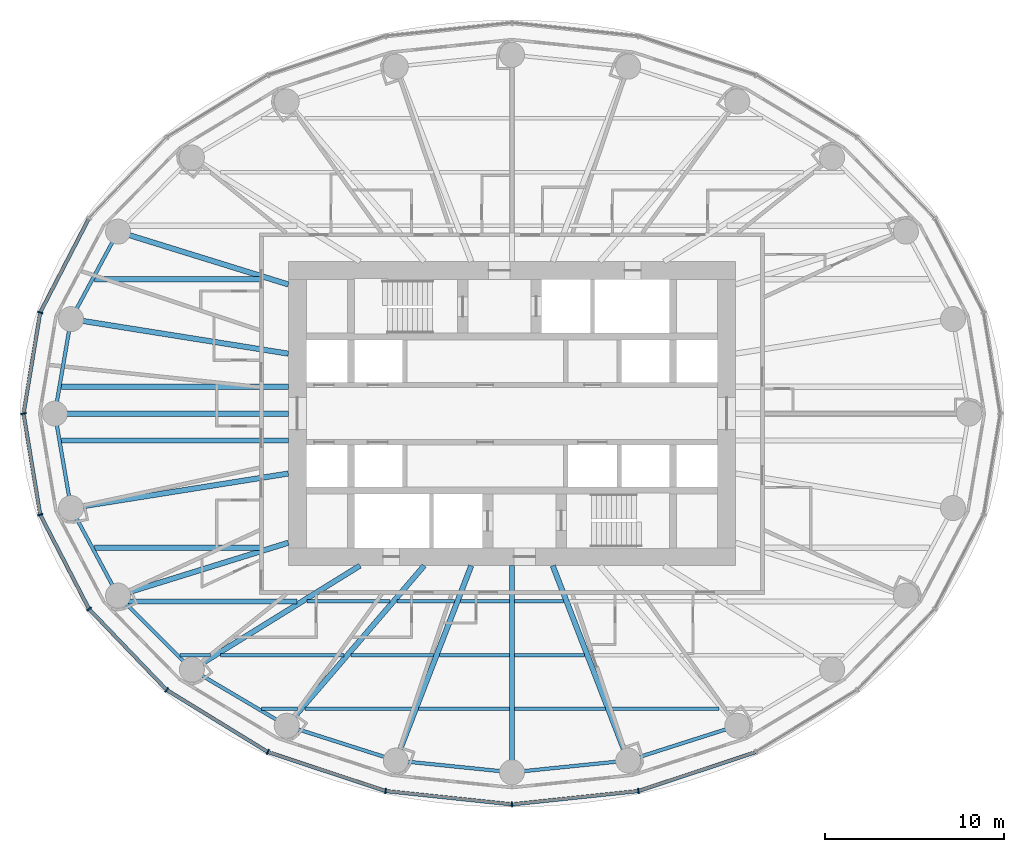
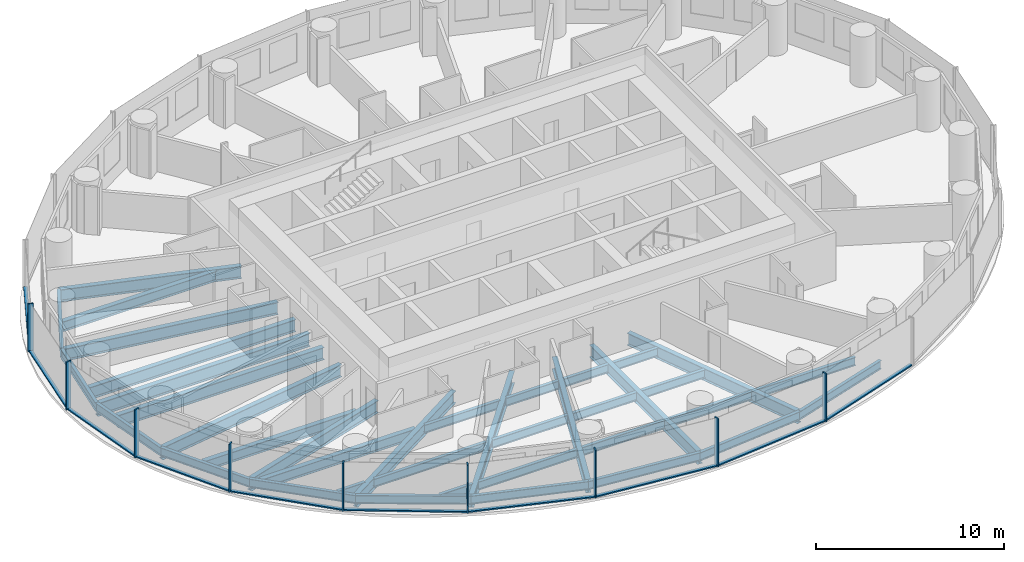
# One storey, part 2 of 13: 39 beams, 19 members, 3 elements without a shape of their own.
"""IFC4 building model written with IfcOpenShell, lengths in metres."""

from ifc_helpers import new_model, si_unit, direction, frame, origin, origin_2d, place, context, subcontext, project, spatial, rectangle, i_section, extrude, material, material_profile, profile_set, type_object, element, aggregate, save


model = new_model("IFC4")

# Units and contexts
model_context = context("Model", 3, precision=1e-05, world=origin(), true_north=direction((0.0, 1.0)))
body_context = subcontext(model_context, "Body", "Model", "MODEL_VIEW")
ifc_project = project(units=[si_unit("LENGTHUNIT", "METRE"), si_unit("AREAUNIT", "SQUARE_METRE"), si_unit("VOLUMEUNIT", "CUBIC_METRE"), si_unit("PLANEANGLEUNIT", "RADIAN"), si_unit("MASSUNIT", "GRAM", prefix="KILO")], contexts=[model_context])

# Site, building, storey
site_placement = place(None, origin())
site = spatial("IfcSite", under=ifc_project, at=site_placement, CompositionType="ELEMENT")
building_placement = place(site_placement, origin())
building = spatial("IfcBuilding", under=site, at=building_placement, Name="Hankou Lantern Tower", CompositionType="ELEMENT")
storey_placement = place(building_placement, frame((0.0, 0.0, 80.39990234375)))
storey = spatial("IfcBuildingStorey", under=building, at=storey_placement, Name="L20", CompositionType="ELEMENT", Elevation=80.39990234375)

# Beams
ifc_material_1 = material(Name="Steel Q355B", Category="steel")
ifc_material_profile_1 = material_profile(ifc_material_1, i_section(OverallWidth=0.199951171875, OverallDepth=0.550048828125, WebThickness=0.010009765625, FlangeThickness=0.01611328125, FilletRadius=0.012939453125, at=origin_2d()), Name="HN550x200x10x16")
ifc_profile_set_1 = profile_set([ifc_material_profile_1], Name="Steel Q355B")
beam_type_1 = type_object("IfcBeamType", Name="EB6 RING BEAM HN550x200x10x16", PredefinedType="SPANDREL", material=ifc_profile_set_1)
beam_1_placement = place(storey_placement, frame((-22.01904296875, 10.170166015625, -0.454833984375), z_axis=(-0.473609096023, -0.880735161194, 0.0), x_axis=(0.880735161194, -0.473609096023, 0.0)))
element("IfcBeam", 1, at=beam_1_placement, inside=storey, type_object=beam_type_1, Name="Ring beam R11-R12 L20", PredefinedType="SPANDREL", context=body_context, shape_type="SweptSolid", body=[
    extrude(i_section(OverallWidth=0.199951171875, OverallDepth=0.550048828125, WebThickness=0.010009765625, FlangeThickness=0.01611328125, FilletRadius=0.012939453125, at=origin_2d()), origin(), (0.0, 0.0, 1.0), 5.548828125),
])
for number, where, z_axis, x_axis, name in (
    (2, (-24.64697265625, 5.283203125, -0.454833984375), (-0.168489691988, -0.985703415685, 0.0), (0.985703415685, -0.168489691988, 0.0), "Ring beam R12-R13 L20"),
    (3, (-25.550048828125, 0.0, -0.454833984375), (0.168489691988, -0.985703415685, 0.0), (0.985703415685, 0.168489691988, 0.0), "Ring beam R13-R14 L20"),
):
    element("IfcBeam", number, at=place(storey_placement, frame(where, z_axis=z_axis, x_axis=x_axis)), inside=storey, type_object=beam_type_1, Name=name, PredefinedType="SPANDREL", context=body_context, shape_type="SweptSolid", body=[
        extrude(i_section(OverallWidth=0.199951171875, OverallDepth=0.550048828125, WebThickness=0.010009765625, FlangeThickness=0.01611328125, FilletRadius=0.012939453125, at=origin_2d()), origin(), (0.0, 0.0, 1.0), 5.35986328125),
    ])
beam_2_placement = place(storey_placement, frame((-24.64697265625, -5.283203125, -0.454833984375), z_axis=(0.473609096023, -0.880735161194, 0.0), x_axis=(0.880735161194, 0.473609096023, 0.0)))
element("IfcBeam", 4, at=beam_2_placement, inside=storey, type_object=beam_type_1, Name="Ring beam R14-R15 L20", PredefinedType="SPANDREL", context=body_context, shape_type="SweptSolid", body=[
    extrude(i_section(OverallWidth=0.199951171875, OverallDepth=0.550048828125, WebThickness=0.010009765625, FlangeThickness=0.01611328125, FilletRadius=0.012939453125, at=origin_2d()), origin(), (0.0, 0.0, 1.0), 5.548828125),
])
beam_3_placement = place(storey_placement, frame((-22.01904296875, -10.170166015625, -0.454833984375), z_axis=(0.705727798394, -0.708483079949, 0.0), x_axis=(0.708483079949, 0.705727798394, 0.0)))
element("IfcBeam", 5, at=beam_3_placement, inside=storey, type_object=beam_type_1, Name="Ring beam R15-R16 L20", PredefinedType="SPANDREL", context=body_context, shape_type="SweptSolid", body=[
    extrude(i_section(OverallWidth=0.199951171875, OverallDepth=0.550048828125, WebThickness=0.010009765625, FlangeThickness=0.01611328125, FilletRadius=0.012939453125, at=origin_2d()), origin(), (0.0, 0.0, 1.0), 5.84814453125),
])
beam_4_placement = place(storey_placement, frame((-17.891845703125, -14.3134765625, -0.454833984375), z_axis=(0.860881533543, -0.508805449268, 0.0), x_axis=(0.508805449268, 0.860881533543, 0.0)))
element("IfcBeam", 6, at=beam_4_placement, inside=storey, type_object=beam_type_1, Name="Ring beam R16-R17 L20", PredefinedType="SPANDREL", context=body_context, shape_type="SweptSolid", body=[
    extrude(i_section(OverallWidth=0.199951171875, OverallDepth=0.550048828125, WebThickness=0.010009765625, FlangeThickness=0.01611328125, FilletRadius=0.012939453125, at=origin_2d()), origin(), (0.0, 0.0, 1.0), 6.15771484375),
])
beam_5_placement = place(storey_placement, frame((-12.5908203125, -17.446533203125, -0.454833984375), z_axis=(0.952690479428, -0.303942182671, 0.0), x_axis=(0.303942182671, 0.952690479428, 0.0)))
element("IfcBeam", 7, at=beam_5_placement, inside=storey, type_object=beam_type_1, Name="Ring beam R17-R18 L20", PredefinedType="SPANDREL", context=body_context, shape_type="SweptSolid", body=[
    extrude(i_section(OverallWidth=0.199951171875, OverallDepth=0.550048828125, WebThickness=0.010009765625, FlangeThickness=0.01611328125, FilletRadius=0.012939453125, at=origin_2d()), origin(), (0.0, 0.0, 1.0), 6.398681640625),
])
for number, where, z_axis, x_axis, name in (
    (8, (-6.494873046875, -19.391357421875, -0.454833984375), (0.994896616842, -0.100899562915, 0.0), (0.100899562915, 0.994896616842, 0.0), "Ring beam R18-R19 L20"),
    (9, (0.0, -20.050048828125, -0.454833984375), (0.994896616842, 0.100899562915, 0.0), (-0.100899562915, 0.994896616842, 0.0), "Ring beam R19-R20 L20"),
):
    element("IfcBeam", number, at=place(storey_placement, frame(where, z_axis=z_axis, x_axis=x_axis)), inside=storey, type_object=beam_type_1, Name=name, PredefinedType="SPANDREL", context=body_context, shape_type="SweptSolid", body=[
        extrude(i_section(OverallWidth=0.199951171875, OverallDepth=0.550048828125, WebThickness=0.010009765625, FlangeThickness=0.01611328125, FilletRadius=0.012939453125, at=origin_2d()), origin(), (0.0, 0.0, 1.0), 6.528076171875),
    ])
beam_6_placement = place(storey_placement, frame((6.494873046875, -19.391357421875, -0.454833984375), z_axis=(0.952690479428, 0.303942182671, 0.0), x_axis=(-0.303942182671, 0.952690479428, 0.0)))
element("IfcBeam", 10, at=beam_6_placement, inside=storey, type_object=beam_type_1, Name="Ring beam R20-R21 L20", PredefinedType="SPANDREL", context=body_context, shape_type="SweptSolid", body=[
    extrude(i_section(OverallWidth=0.199951171875, OverallDepth=0.550048828125, WebThickness=0.010009765625, FlangeThickness=0.01611328125, FilletRadius=0.012939453125, at=origin_2d()), origin(), (0.0, 0.0, 1.0), 6.398681640625),
])

# Curtain wall, member
ifc_material_2 = material(Name="Glass, dark grey tinted laminated", Category="glass")
curtain_wall_type = type_object("IfcCurtainWallType", Name="CWA OUTER SKIN LOW-RISE", PredefinedType="USERDEFINED", material=ifc_material_2)
curtain_wall_1_placement = place(storey_placement, origin())
curtain_wall_1 = element("IfcCurtainWall", 11, at=curtain_wall_1_placement, inside=storey, type_object=curtain_wall_type, Name="CWA L20 OS2", ObjectType="OUTER SKIN LOW-RISE", PredefinedType="USERDEFINED")
ifc_material_3 = material(Name="Aluminium, black anodised", Category="aluminium")
ifc_material_profile_2 = material_profile(ifc_material_3, rectangle(XDim=0.080078125, YDim=0.300048828125, at=origin_2d()), Name="MU1 80X300")
ifc_profile_set_2 = profile_set([ifc_material_profile_2], Name="Aluminium, black anodised")
member_type_1 = type_object("IfcMemberType", Name="MU1 OUTER SKIN MULLION 80X300", PredefinedType="MULLION", material=ifc_profile_set_2)
member_1_placement = place(storey_placement, frame((-26.369873046875, 5.652587890625, 0.0), z_axis=(0.0, 0.0, 1.0), x_axis=(-0.317595577365, -0.94822626479, 0.0)))
member_1 = element("IfcMember", 12, at=member_1_placement, type_object=member_type_1, Name="CWA mullion 6", PredefinedType="MULLION", context=body_context, shape_type="SweptSolid", body=[
    extrude(rectangle(XDim=0.080078125, YDim=0.300048828125, at=origin_2d()), origin(), (0.0, 0.0, 1.0), 3.1201171875),
])

# Curtain wall, members
curtain_wall_2_placement = place(storey_placement, origin())
curtain_wall_2 = element("IfcCurtainWall", 13, at=curtain_wall_2_placement, inside=storey, type_object=curtain_wall_type, Name="CWA L20 OS3", ObjectType="OUTER SKIN LOW-RISE", PredefinedType="USERDEFINED")
member_2_placement = place(storey_placement, frame((-27.300048828125, 0.0, 0.0), z_axis=(0.0, 0.0, 1.0), x_axis=(0.162381515188, -0.986728049427, 0.0)))
member_2 = element("IfcMember", 14, at=member_2_placement, type_object=member_type_1, Name="CWA mullion 1", PredefinedType="MULLION", context=body_context, shape_type="SweptSolid", body=[
    extrude(rectangle(XDim=0.080078125, YDim=0.300048828125, at=origin_2d()), origin(), (0.0, 0.0, 1.0), 3.1201171875),
])
member_3_placement = place(storey_placement, frame((-26.369873046875, -5.652587890625, 0.0), z_axis=(0.0, 0.0, 1.0), x_axis=(0.317595577365, -0.94822626479, 0.0)))
member_3 = element("IfcMember", 15, at=member_3_placement, type_object=member_type_1, Name="CWA mullion 2", PredefinedType="MULLION", context=body_context, shape_type="SweptSolid", body=[
    extrude(rectangle(XDim=0.080078125, YDim=0.300048828125, at=origin_2d()), origin(), (0.0, 0.0, 1.0), 3.1201171875),
])
member_4_placement = place(storey_placement, frame((-23.642578125, -10.919921875, 0.0), z_axis=(0.0, 0.0, 1.0), x_axis=(0.585205735974, -0.810884854084, 0.0)))
member_4 = element("IfcMember", 16, at=member_4_placement, type_object=member_type_1, Name="CWA mullion 3", PredefinedType="MULLION", context=body_context, shape_type="SweptSolid", body=[
    extrude(rectangle(XDim=0.080078125, YDim=0.300048828125, at=origin_2d()), origin(), (0.0, 0.0, 1.0), 3.1201171875),
])
member_5_placement = place(storey_placement, frame((-19.303955078125, -15.443115234375, 0.0), z_axis=(0.0, 0.0, 1.0), x_axis=(0.780868809444, -0.624695047553, 0.0)))
member_5 = element("IfcMember", 17, at=member_5_placement, type_object=member_type_1, Name="CWA mullion 4", PredefinedType="MULLION", context=body_context, shape_type="SweptSolid", body=[
    extrude(rectangle(XDim=0.080078125, YDim=0.300048828125, at=origin_2d()), origin(), (0.0, 0.0, 1.0), 3.1201171875),
])
member_6_placement = place(storey_placement, frame((-13.64990234375, -18.9140625, 0.0), z_axis=(0.0, 0.0, 1.0), x_axis=(0.907841299004, -0.419313934686, 0.0)))
member_6 = element("IfcMember", 18, at=member_6_placement, type_object=member_type_1, Name="CWA mullion 5", PredefinedType="MULLION", context=body_context, shape_type="SweptSolid", body=[
    extrude(rectangle(XDim=0.080078125, YDim=0.300048828125, at=origin_2d()), origin(), (0.0, 0.0, 1.0), 3.1201171875),
])
member_7_placement = place(storey_placement, frame((-7.065673828125, -21.095703125, 0.0), z_axis=(0.0, 0.0, 1.0), x_axis=(0.977787659625, -0.209597931016, 0.0)))
member_7 = element("IfcMember", 19, at=member_7_placement, type_object=member_type_1, Name="CWA mullion 6", PredefinedType="MULLION", context=body_context, shape_type="SweptSolid", body=[
    extrude(rectangle(XDim=0.080078125, YDim=0.300048828125, at=origin_2d()), origin(), (0.0, 0.0, 1.0), 3.1201171875),
])

curtain_wall_3_placement = place(storey_placement, origin())
curtain_wall_3 = element("IfcCurtainWall", 20, at=curtain_wall_3_placement, inside=storey, type_object=curtain_wall_type, Name="CWA L20 OS4", ObjectType="OUTER SKIN LOW-RISE", PredefinedType="USERDEFINED")
member_8_placement = place(storey_placement, frame((0.0, -21.840087890625, 0.0), z_axis=(0.0, 0.0, 1.0), x_axis=(0.994499359107, 0.104742659579, 0.0)))
member_8 = element("IfcMember", 21, at=member_8_placement, type_object=member_type_1, Name="CWA mullion 1", PredefinedType="MULLION", context=body_context, shape_type="SweptSolid", body=[
    extrude(rectangle(XDim=0.080078125, YDim=0.300048828125, at=origin_2d()), origin(), (0.0, 0.0, 1.0), 3.1201171875),
])
member_9_placement = place(storey_placement, frame((7.065673828125, -21.095703125, 0.0), z_axis=(0.0, 0.0, 1.0), x_axis=(0.977787659625, 0.209597931016, 0.0)))
member_9 = element("IfcMember", 22, at=member_9_placement, type_object=member_type_1, Name="CWA mullion 2", PredefinedType="MULLION", context=body_context, shape_type="SweptSolid", body=[
    extrude(rectangle(XDim=0.080078125, YDim=0.300048828125, at=origin_2d()), origin(), (0.0, 0.0, 1.0), 3.1201171875),
])

# Beams
ifc_material_4 = material(Name="Steel Q355B", Category="steel")
ifc_material_profile_3 = material_profile(ifc_material_4, i_section(OverallWidth=0.300048828125, OverallDepth=0.800048828125, WebThickness=0.013916015625, FlangeThickness=0.02587890625, FilletRadius=0.01806640625, at=origin_2d()), Name="HN800x300x14x26")
ifc_profile_set_3 = profile_set([ifc_material_profile_3], Name="Steel Q355B")
beam_type_2 = type_object("IfcBeamType", Name="RB11 RADIAL BEAM HN800x300x14x26", PredefinedType="BEAM", material=ifc_profile_set_3)
beam_7_placement = place(storey_placement, frame((-12.5, 7.216796875, -0.579833984375), z_axis=(-0.955087327755, 0.29632447817, 0.0), x_axis=(-0.29632447817, -0.955087327755, 0.0)))
element("IfcBeam", 23, at=beam_7_placement, inside=storey, type_object=beam_type_2, Name="Radial beam R11 L20", PredefinedType="BEAM", context=body_context, shape_type="SweptSolid", body=[
    extrude(i_section(OverallWidth=0.300048828125, OverallDepth=0.800048828125, WebThickness=0.013916015625, FlangeThickness=0.02587890625, FilletRadius=0.01806640625, at=origin_2d()), origin(), (0.0, 0.0, 1.0), 9.966552734375),
])
for number, where, z_axis, x_axis, name in (
    (24, (-12.5, 3.349365234375, -0.579833984375), (-0.987563081343, 0.157223281893, 0.0), (-0.157223281893, -0.987563081343, 0.0), "Radial beam R12 L20"),
    (25, (-12.5, -3.349365234375, -0.579833984375), (-0.987563081343, -0.157223281893, 0.0), (0.157223281893, -0.987563081343, 0.0), "Radial beam R14 L20"),
):
    element("IfcBeam", number, at=place(storey_placement, frame(where, z_axis=z_axis, x_axis=x_axis)), inside=storey, type_object=beam_type_2, Name=name, PredefinedType="BEAM", context=body_context, shape_type="SweptSolid", body=[
        extrude(i_section(OverallWidth=0.300048828125, OverallDepth=0.800048828125, WebThickness=0.013916015625, FlangeThickness=0.02587890625, FilletRadius=0.01806640625, at=origin_2d()), origin(), (0.0, 0.0, 1.0), 12.300048828125),
    ])
beam_8_placement = place(storey_placement, frame((-12.5, -7.216796875, -0.579833984375), z_axis=(-0.955087327755, -0.29632447817, 0.0), x_axis=(0.29632447817, -0.955087327755, 0.0)))
element("IfcBeam", 26, at=beam_8_placement, inside=storey, type_object=beam_type_2, Name="Radial beam R15 L20", PredefinedType="BEAM", context=body_context, shape_type="SweptSolid", body=[
    extrude(i_section(OverallWidth=0.300048828125, OverallDepth=0.800048828125, WebThickness=0.013916015625, FlangeThickness=0.02587890625, FilletRadius=0.01806640625, at=origin_2d()), origin(), (0.0, 0.0, 1.0), 9.966552734375),
])
beam_9_placement = place(storey_placement, frame((-8.5, -8.5, -0.579833984375), z_axis=(-0.850286343288, -0.526320372414, 0.0), x_axis=(0.526320372414, -0.850286343288, 0.0)))
element("IfcBeam", 27, at=beam_9_placement, inside=storey, type_object=beam_type_2, Name="Radial beam R16 L20", PredefinedType="BEAM", context=body_context, shape_type="SweptSolid", body=[
    extrude(i_section(OverallWidth=0.300048828125, OverallDepth=0.800048828125, WebThickness=0.013916015625, FlangeThickness=0.02587890625, FilletRadius=0.01806640625, at=origin_2d()), origin(), (0.0, 0.0, 1.0), 11.04541015625),
])
beam_10_placement = place(storey_placement, frame((-4.907470703125, -8.5, -0.579833984375), z_axis=(-0.651519061225, -0.758632264579, 0.0), x_axis=(0.758632264579, -0.651519061225, 0.0)))
element("IfcBeam", 28, at=beam_10_placement, inside=storey, type_object=beam_type_2, Name="Radial beam R17 L20", PredefinedType="BEAM", context=body_context, shape_type="SweptSolid", body=[
    extrude(i_section(OverallWidth=0.300048828125, OverallDepth=0.800048828125, WebThickness=0.013916015625, FlangeThickness=0.02587890625, FilletRadius=0.01806640625, at=origin_2d()), origin(), (0.0, 0.0, 1.0), 11.79296875),
])
beam_11_placement = place(storey_placement, frame((-2.277587890625, -8.5, -0.579833984375), z_axis=(-0.361089103374, -0.932531318201, 0.0), x_axis=(0.932531318201, -0.361089103374, 0.0)))
element("IfcBeam", 29, at=beam_11_placement, inside=storey, type_object=beam_type_2, Name="Radial beam R18 L20", PredefinedType="BEAM", context=body_context, shape_type="SweptSolid", body=[
    extrude(i_section(OverallWidth=0.300048828125, OverallDepth=0.800048828125, WebThickness=0.013916015625, FlangeThickness=0.02587890625, FilletRadius=0.01806640625, at=origin_2d()), origin(), (0.0, 0.0, 1.0), 11.679443359375),
])
beam_12_placement = place(storey_placement, frame((0.0, -8.5, -0.579833984375), z_axis=(0.0, -1.0, 0.0), x_axis=(1.0, 0.0, 0.0)))
element("IfcBeam", 30, at=beam_12_placement, inside=storey, type_object=beam_type_2, Name="Radial beam R19 L20", PredefinedType="BEAM", context=body_context, shape_type="SweptSolid", body=[
    extrude(i_section(OverallWidth=0.300048828125, OverallDepth=0.800048828125, WebThickness=0.013916015625, FlangeThickness=0.02587890625, FilletRadius=0.01806640625, at=origin_2d()), origin(), (0.0, 0.0, 1.0), 11.550048828125),
])
beam_13_placement = place(storey_placement, frame((2.277587890625, -8.5, -0.579833984375), z_axis=(0.361089103374, -0.932531318201, 0.0), x_axis=(0.932531318201, 0.361089103374, 0.0)))
element("IfcBeam", 31, at=beam_13_placement, inside=storey, type_object=beam_type_2, Name="Radial beam R20 L20", PredefinedType="BEAM", context=body_context, shape_type="SweptSolid", body=[
    extrude(i_section(OverallWidth=0.300048828125, OverallDepth=0.800048828125, WebThickness=0.013916015625, FlangeThickness=0.02587890625, FilletRadius=0.01806640625, at=origin_2d()), origin(), (0.0, 0.0, 1.0), 11.679443359375),
])
ifc_material_5 = material(Name="Steel Q355B", Category="steel")
ifc_material_profile_4 = material_profile(ifc_material_5, i_section(OverallWidth=0.300048828125, OverallDepth=0.85009765625, WebThickness=0.01611328125, FlangeThickness=0.027099609375, FilletRadius=0.01806640625, at=origin_2d()), Name="HN850x300x16x27")
ifc_profile_set_4 = profile_set([ifc_material_profile_4], Name="Steel Q355B")
beam_type_3 = type_object("IfcBeamType", Name="RB12 RADIAL BEAM HN850x300x16x27", PredefinedType="BEAM", material=ifc_profile_set_4)
beam_14_placement = place(storey_placement, frame((-12.5, 0.0, -0.60498046875), z_axis=(-1.0, 0.0, 0.0), x_axis=(0.0, -1.0, 0.0)))
element("IfcBeam", 32, at=beam_14_placement, inside=storey, type_object=beam_type_3, Name="Radial beam R13 L20", PredefinedType="BEAM", context=body_context, shape_type="SweptSolid", body=[
    extrude(i_section(OverallWidth=0.300048828125, OverallDepth=0.85009765625, WebThickness=0.01611328125, FlangeThickness=0.027099609375, FilletRadius=0.01806640625, at=origin_2d()), origin(), (0.0, 0.0, 1.0), 13.050048828125),
])
ifc_material_6 = material(Name="Steel Q355B", Category="steel")
ifc_material_profile_5 = material_profile(ifc_material_6, i_section(OverallWidth=0.300048828125, OverallDepth=0.800048828125, WebThickness=0.013916015625, FlangeThickness=0.02587890625, FilletRadius=0.01806640625, at=origin_2d()), Name="HN800x300x14x26")
ifc_profile_set_5 = profile_set([ifc_material_profile_5], Name="Steel Q355B")
beam_type_4 = type_object("IfcBeamType", Name="SB11 SECONDARY BEAM HN800x300x14x26", PredefinedType="JOIST", material=ifc_profile_set_5)
for number, where, z_axis, x_axis, name in (
    (33, (-25.192138671875, -1.5, -0.579833984375), (1.0, 0.0, 0.0), (0.0, 1.0, 0.0), "Floor joist J029 L20"),
    (34, (-25.192138671875, 1.5, -0.579833984375), (1.0, 0.0, 0.0), (0.0, 1.0, 0.0), "Floor joist J031 L20"),
):
    element("IfcBeam", number, at=place(storey_placement, frame(where, z_axis=z_axis, x_axis=x_axis)), inside=storey, type_object=beam_type_4, Name=name, PredefinedType="JOIST", context=body_context, shape_type="SweptSolid", body=[
        extrude(i_section(OverallWidth=0.300048828125, OverallDepth=0.800048828125, WebThickness=0.013916015625, FlangeThickness=0.02587890625, FilletRadius=0.01806640625, at=origin_2d()), origin(), (0.0, 0.0, 1.0), 12.692138671875),
    ])
ifc_material_7 = material(Name="Steel Q355B", Category="steel")
ifc_material_profile_6 = material_profile(ifc_material_7, i_section(OverallWidth=0.199951171875, OverallDepth=0.550048828125, WebThickness=0.010009765625, FlangeThickness=0.01611328125, FilletRadius=0.012939453125, at=origin_2d()), Name="HN550x200x10x16")
ifc_profile_set_6 = profile_set([ifc_material_profile_6], Name="Steel Q355B")
beam_type_5 = type_object("IfcBeamType", Name="SB6 SECONDARY BEAM HN550x200x10x16", PredefinedType="JOIST", material=ifc_profile_set_6)
beam_15_placement = place(storey_placement, frame((-13.99560546875, -16.5, -0.454833984375), z_axis=(1.0, 0.0, 0.0), x_axis=(0.0, 1.0, 0.0)))
element("IfcBeam", 35, at=beam_15_placement, inside=storey, type_object=beam_type_5, Name="Floor joist J001 L20", PredefinedType="JOIST", context=body_context, shape_type="SweptSolid", body=[
    extrude(i_section(OverallWidth=0.199951171875, OverallDepth=0.550048828125, WebThickness=0.010009765625, FlangeThickness=0.01611328125, FilletRadius=0.012939453125, at=origin_2d()), origin(), (0.0, 0.0, 1.0), 2.019775390625),
])
beam_16_placement = place(storey_placement, frame((-11.580322265625, -16.5, -0.454833984375), z_axis=(1.0, 0.0, 0.0), x_axis=(0.0, 1.0, 0.0)))
element("IfcBeam", 36, at=beam_16_placement, inside=storey, type_object=beam_type_5, Name="Floor joist J002 L20", PredefinedType="JOIST", context=body_context, shape_type="SweptSolid", body=[
    extrude(i_section(OverallWidth=0.199951171875, OverallDepth=0.550048828125, WebThickness=0.010009765625, FlangeThickness=0.01611328125, FilletRadius=0.012939453125, at=origin_2d()), origin(), (0.0, 0.0, 1.0), 6.044189453125),
])
for number, where, z_axis, x_axis, name in (
    (37, (-5.21435546875, -16.5, -0.454833984375), (1.0, 0.0, 0.0), (0.0, 1.0, 0.0), "Floor joist J003 L20"),
    (38, (0.14990234375, -16.5, -0.454833984375), (1.0, 0.0, 0.0), (0.0, 1.0, 0.0), "Floor joist J004 L20"),
):
    element("IfcBeam", number, at=place(storey_placement, frame(where, z_axis=z_axis, x_axis=x_axis)), inside=storey, type_object=beam_type_5, Name=name, PredefinedType="JOIST", context=body_context, shape_type="SweptSolid", body=[
        extrude(i_section(OverallWidth=0.199951171875, OverallDepth=0.550048828125, WebThickness=0.010009765625, FlangeThickness=0.01611328125, FilletRadius=0.012939453125, at=origin_2d()), origin(), (0.0, 0.0, 1.0), 5.064453125),
    ])
beam_17_placement = place(storey_placement, frame((5.5361328125, -16.5, -0.454833984375), z_axis=(1.0, 0.0, 0.0), x_axis=(0.0, 1.0, 0.0)))
element("IfcBeam", 39, at=beam_17_placement, inside=storey, type_object=beam_type_5, Name="Floor joist J005 L20", PredefinedType="JOIST", context=body_context, shape_type="SweptSolid", body=[
    extrude(i_section(OverallWidth=0.199951171875, OverallDepth=0.550048828125, WebThickness=0.010009765625, FlangeThickness=0.01611328125, FilletRadius=0.012939453125, at=origin_2d()), origin(), (0.0, 0.0, 1.0), 6.044189453125),
])
beam_18_placement = place(storey_placement, frame((-18.560791015625, -13.5, -0.454833984375), z_axis=(1.0, 0.0, 0.0), x_axis=(0.0, 1.0, 0.0)))
element("IfcBeam", 40, at=beam_18_placement, inside=storey, type_object=beam_type_5, Name="Floor joist J007 L20", PredefinedType="JOIST", context=body_context, shape_type="SweptSolid", body=[
    extrude(i_section(OverallWidth=0.199951171875, OverallDepth=0.550048828125, WebThickness=0.010009765625, FlangeThickness=0.01611328125, FilletRadius=0.012939453125, at=origin_2d()), origin(), (0.0, 0.0, 1.0), 1.697998046875),
])
beam_19_placement = place(storey_placement, frame((-16.292724609375, -13.5, -0.454833984375), z_axis=(1.0, 0.0, 0.0), x_axis=(0.0, 1.0, 0.0)))
element("IfcBeam", 41, at=beam_19_placement, inside=storey, type_object=beam_type_5, Name="Floor joist J008 L20", PredefinedType="JOIST", context=body_context, shape_type="SweptSolid", body=[
    extrude(i_section(OverallWidth=0.199951171875, OverallDepth=0.550048828125, WebThickness=0.010009765625, FlangeThickness=0.01611328125, FilletRadius=0.012939453125, at=origin_2d()), origin(), (0.0, 0.0, 1.0), 6.893310546875),
])
beam_20_placement = place(storey_placement, frame((-9.00390625, -13.5, -0.454833984375), z_axis=(1.0, 0.0, 0.0), x_axis=(0.0, 1.0, 0.0)))
element("IfcBeam", 42, at=beam_20_placement, inside=storey, type_object=beam_type_5, Name="Floor joist J009 L20", PredefinedType="JOIST", context=body_context, shape_type="SweptSolid", body=[
    extrude(i_section(OverallWidth=0.199951171875, OverallDepth=0.550048828125, WebThickness=0.010009765625, FlangeThickness=0.01611328125, FilletRadius=0.012939453125, at=origin_2d()), origin(), (0.0, 0.0, 1.0), 4.62939453125),
])
for number, where, z_axis, x_axis, name in (
    (43, (-4.052734375, -13.5, -0.454833984375), (1.0, 0.0, 0.0), (0.0, 1.0, 0.0), "Floor joist J010 L20"),
    (44, (0.14990234375, -13.5, -0.454833984375), (1.0, 0.0, 0.0), (0.0, 1.0, 0.0), "Floor joist J011 L20"),
):
    element("IfcBeam", number, at=place(storey_placement, frame(where, z_axis=z_axis, x_axis=x_axis)), inside=storey, type_object=beam_type_5, Name=name, PredefinedType="JOIST", context=body_context, shape_type="SweptSolid", body=[
        extrude(i_section(OverallWidth=0.199951171875, OverallDepth=0.550048828125, WebThickness=0.010009765625, FlangeThickness=0.01611328125, FilletRadius=0.012939453125, at=origin_2d()), origin(), (0.0, 0.0, 1.0), 3.90283203125),
    ])
beam_21_placement = place(storey_placement, frame((-11.446044921875, -10.5, -0.454833984375), z_axis=(1.0, 0.0, 0.0), x_axis=(0.0, 1.0, 0.0)))
element("IfcBeam", 45, at=beam_21_placement, inside=storey, type_object=beam_type_5, Name="Floor joist J016 L20", PredefinedType="JOIST", context=body_context, shape_type="SweptSolid", body=[
    extrude(i_section(OverallWidth=0.199951171875, OverallDepth=0.550048828125, WebThickness=0.010009765625, FlangeThickness=0.01611328125, FilletRadius=0.012939453125, at=origin_2d()), origin(), (0.0, 0.0, 1.0), 4.623291015625),
])
beam_22_placement = place(storey_placement, frame((-6.427490234375, -10.5, -0.454833984375), z_axis=(1.0, 0.0, 0.0), x_axis=(0.0, 1.0, 0.0)))
element("IfcBeam", 46, at=beam_22_placement, inside=storey, type_object=beam_type_5, Name="Floor joist J017 L20", PredefinedType="JOIST", context=body_context, shape_type="SweptSolid", body=[
    extrude(i_section(OverallWidth=0.199951171875, OverallDepth=0.550048828125, WebThickness=0.010009765625, FlangeThickness=0.01611328125, FilletRadius=0.012939453125, at=origin_2d()), origin(), (0.0, 0.0, 1.0), 3.214599609375),
])
for number, where, z_axis, x_axis, name in (
    (47, (-2.89111328125, -10.5, -0.454833984375), (1.0, 0.0, 0.0), (0.0, 1.0, 0.0), "Floor joist J018 L20"),
    (48, (0.14990234375, -10.5, -0.454833984375), (1.0, 0.0, 0.0), (0.0, 1.0, 0.0), "Floor joist J019 L20"),
):
    element("IfcBeam", number, at=place(storey_placement, frame(where, z_axis=z_axis, x_axis=x_axis)), inside=storey, type_object=beam_type_5, Name=name, PredefinedType="JOIST", context=body_context, shape_type="SweptSolid", body=[
        extrude(i_section(OverallWidth=0.199951171875, OverallDepth=0.550048828125, WebThickness=0.010009765625, FlangeThickness=0.01611328125, FilletRadius=0.012939453125, at=origin_2d()), origin(), (0.0, 0.0, 1.0), 2.7412109375),
    ])
ifc_material_8 = material(Name="Steel Q355B", Category="steel")
ifc_material_profile_7 = material_profile(ifc_material_8, i_section(OverallWidth=0.300048828125, OverallDepth=0.64990234375, WebThickness=0.010986328125, FlangeThickness=0.01708984375, FilletRadius=0.01806640625, at=origin_2d()), Name="HN650x300x11x17")
ifc_profile_set_7 = profile_set([ifc_material_profile_7], Name="Steel Q355B")
beam_type_6 = type_object("IfcBeamType", Name="SB8 SECONDARY BEAM HN650x300x11x17", PredefinedType="JOIST", material=ifc_profile_set_7)
beam_23_placement = place(storey_placement, frame((-21.54931640625, -10.5, -0.5048828125), z_axis=(1.0, 0.0, 0.0), x_axis=(0.0, 1.0, 0.0)))
element("IfcBeam", 49, at=beam_23_placement, inside=storey, type_object=beam_type_6, Name="Floor joist J015 L20", PredefinedType="JOIST", context=body_context, shape_type="SweptSolid", body=[
    extrude(i_section(OverallWidth=0.300048828125, OverallDepth=0.64990234375, WebThickness=0.010986328125, FlangeThickness=0.01708984375, FilletRadius=0.01806640625, at=origin_2d()), origin(), (0.0, 0.0, 1.0), 9.533203125),
])
for number, where, z_axis, x_axis, name in (
    (50, (-23.341552734375, -7.5, -0.5048828125), (1.0, 0.0, 0.0), (0.0, 1.0, 0.0), "Floor joist J023 L20"),
    (51, (-23.341552734375, 7.5, -0.5048828125), (1.0, 0.0, 0.0), (0.0, 1.0, 0.0), "Floor joist J037 L20"),
):
    element("IfcBeam", number, at=place(storey_placement, frame(where, z_axis=z_axis, x_axis=x_axis)), inside=storey, type_object=beam_type_6, Name=name, PredefinedType="JOIST", context=body_context, shape_type="SweptSolid", body=[
        extrude(i_section(OverallWidth=0.300048828125, OverallDepth=0.64990234375, WebThickness=0.010986328125, FlangeThickness=0.01708984375, FilletRadius=0.01806640625, at=origin_2d()), origin(), (0.0, 0.0, 1.0), 9.4228515625),
    ])

# Member
ifc_material_9 = material(Name="Aluminium, black anodised", Category="aluminium")
ifc_material_profile_8 = material_profile(ifc_material_9, rectangle(XDim=0.199951171875, YDim=0.080078125, at=origin_2d()), Name="TR1 200X80")
ifc_profile_set_8 = profile_set([ifc_material_profile_8], Name="Aluminium, black anodised")
member_type_2 = type_object("IfcMemberType", Name="TR1 OUTER SKIN TRANSOM 200X80", PredefinedType="USERDEFINED", material=ifc_profile_set_8)
member_10_placement = place(storey_placement, frame((-23.660888671875, 10.884521484375, 0.0400390625), z_axis=(-0.459786096495, -0.888029698529, 0.0), x_axis=(0.888029698529, -0.459786096495, 0.0)))
member_10 = element("IfcMember", 52, at=member_10_placement, type_object=member_type_2, Name="CWA transom 5", ObjectType="TRANSOM", PredefinedType="USERDEFINED", context=body_context, shape_type="SweptSolid", body=[
    extrude(rectangle(XDim=0.199951171875, YDim=0.080078125, at=origin_2d()), origin(), (0.0, 0.0, 1.0), 5.8515625),
])

member_11_placement = place(storey_placement, frame((-26.376220703125, 5.613037109375, 0.0400390625), z_axis=(-0.162387045529, -0.986727139307, 0.0), x_axis=(0.986727139307, -0.162387045529, 0.0)))
member_11 = element("IfcMember", 53, at=member_11_placement, type_object=member_type_2, Name="CWA transom 6", ObjectType="TRANSOM", PredefinedType="USERDEFINED", context=body_context, shape_type="SweptSolid", body=[
    extrude(rectangle(XDim=0.199951171875, YDim=0.080078125, at=origin_2d()), origin(), (0.0, 0.0, 1.0), 5.6484375),
])

aggregate(curtain_wall_1, [member_1, member_10, member_11])

member_12_placement = place(storey_placement, frame((-27.29345703125, -0.03955078125, 0.0400390625), z_axis=(0.162387045529, -0.986727139307, 0.0), x_axis=(0.986727139307, 0.162387045529, 0.0)))
member_12 = element("IfcMember", 54, at=member_12_placement, type_object=member_type_2, Name="CWA transom 1", ObjectType="TRANSOM", PredefinedType="USERDEFINED", context=body_context, shape_type="SweptSolid", body=[
    extrude(rectangle(XDim=0.199951171875, YDim=0.080078125, at=origin_2d()), origin(), (0.0, 0.0, 1.0), 5.6484375),
])

member_13_placement = place(storey_placement, frame((-26.351318359375, -5.688232421875, 0.0400390625), z_axis=(0.459786096495, -0.888029698529, 0.0), x_axis=(0.888029698529, 0.459786096495, 0.0)))
member_13 = element("IfcMember", 55, at=member_13_placement, type_object=member_type_2, Name="CWA transom 2", ObjectType="TRANSOM", PredefinedType="USERDEFINED", context=body_context, shape_type="SweptSolid", body=[
    extrude(rectangle(XDim=0.199951171875, YDim=0.080078125, at=origin_2d()), origin(), (0.0, 0.0, 1.0), 5.8515625),
])

member_14_placement = place(storey_placement, frame((-23.61474609375, -10.948974609375, 0.0400390625), z_axis=(0.692215537374, -0.721690827029, 0.0), x_axis=(0.721690827029, 0.692215537374, 0.0)))
member_14 = element("IfcMember", 56, at=member_14_placement, type_object=member_type_2, Name="CWA transom 3", ObjectType="TRANSOM", PredefinedType="USERDEFINED", context=body_context, shape_type="SweptSolid", body=[
    extrude(rectangle(XDim=0.199951171875, YDim=0.080078125, at=origin_2d()), origin(), (0.0, 0.0, 1.0), 6.187255859375),
])

member_15_placement = place(storey_placement, frame((-19.27001953125, -15.464111328125, 0.0400390625), z_axis=(0.85223969557, -0.523151508929, 0.0), x_axis=(0.523151508929, 0.85223969557, 0.0)))
member_15 = element("IfcMember", 57, at=member_15_placement, type_object=member_type_2, Name="CWA transom 4", ObjectType="TRANSOM", PredefinedType="USERDEFINED", context=body_context, shape_type="SweptSolid", body=[
    extrude(rectangle(XDim=0.199951171875, YDim=0.080078125, at=origin_2d()), origin(), (0.0, 0.0, 1.0), 6.554443359375),
])

member_16_placement = place(storey_placement, frame((-13.612060546875, -18.926513671875, 0.0400390625), z_axis=(0.949237318771, -0.314560825044, 0.0), x_axis=(0.314560825044, 0.949237318771, 0.0)))
member_16 = element("IfcMember", 58, at=member_16_placement, type_object=member_type_2, Name="CWA transom 5", ObjectType="TRANSOM", PredefinedType="USERDEFINED", context=body_context, shape_type="SweptSolid", body=[
    extrude(rectangle(XDim=0.199951171875, YDim=0.080078125, at=origin_2d()), origin(), (0.0, 0.0, 1.0), 6.8564453125),
])

member_17_placement = place(storey_placement, frame((-7.02587890625, -21.10009765625, 0.0400390625), z_axis=(0.994502215033, -0.104715539888, 0.0), x_axis=(0.104715539888, 0.994502215033, 0.0)))
member_17 = element("IfcMember", 59, at=member_17_placement, type_object=member_type_2, Name="CWA transom 6", ObjectType="TRANSOM", PredefinedType="USERDEFINED", context=body_context, shape_type="SweptSolid", body=[
    extrude(rectangle(XDim=0.199951171875, YDim=0.080078125, at=origin_2d()), origin(), (0.0, 0.0, 1.0), 7.024658203125),
])

aggregate(curtain_wall_2, [member_2, member_3, member_4, member_5, member_6, member_7, member_12, member_13, member_14, member_15, member_16, member_17])

member_18_placement = place(storey_placement, frame((0.039794921875, -21.835693359375, 0.0400390625), z_axis=(0.994502215033, 0.104715539888, 0.0), x_axis=(-0.104715539888, 0.994502215033, 0.0)))
member_18 = element("IfcMember", 60, at=member_18_placement, type_object=member_type_2, Name="CWA transom 1", ObjectType="TRANSOM", PredefinedType="USERDEFINED", context=body_context, shape_type="SweptSolid", body=[
    extrude(rectangle(XDim=0.199951171875, YDim=0.080078125, at=origin_2d()), origin(), (0.0, 0.0, 1.0), 7.024658203125),
])

member_19_placement = place(storey_placement, frame((7.103759765625, -21.083251953125, 0.0400390625), z_axis=(0.949237318771, 0.314560825044, 0.0), x_axis=(-0.314560825044, 0.949237318771, 0.0)))
member_19 = element("IfcMember", 61, at=member_19_placement, type_object=member_type_2, Name="CWA transom 2", ObjectType="TRANSOM", PredefinedType="USERDEFINED", context=body_context, shape_type="SweptSolid", body=[
    extrude(rectangle(XDim=0.199951171875, YDim=0.080078125, at=origin_2d()), origin(), (0.0, 0.0, 1.0), 6.8564453125),
])

aggregate(curtain_wall_3, [member_8, member_9, member_18, member_19])

save(model, "model.ifc")
